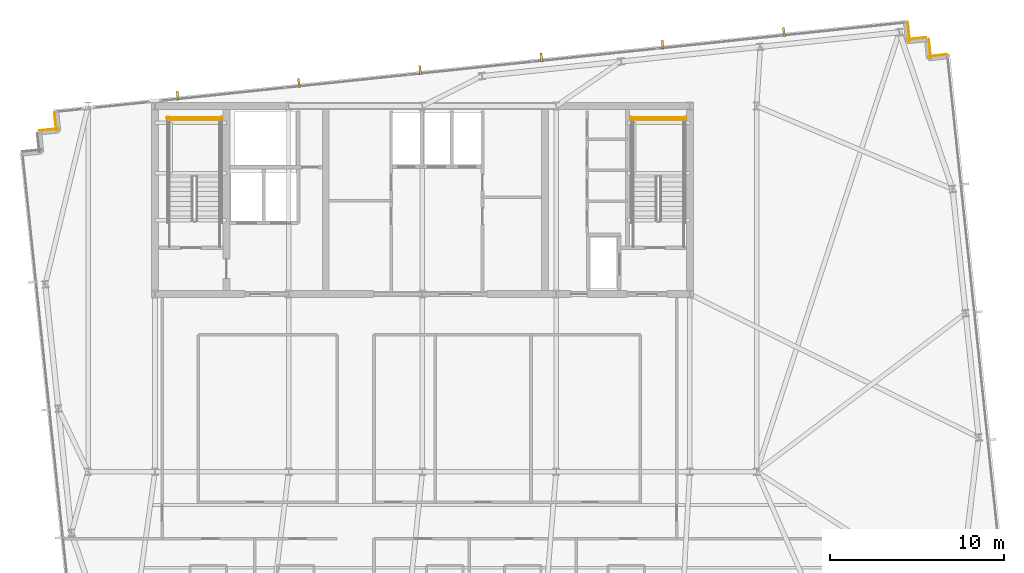
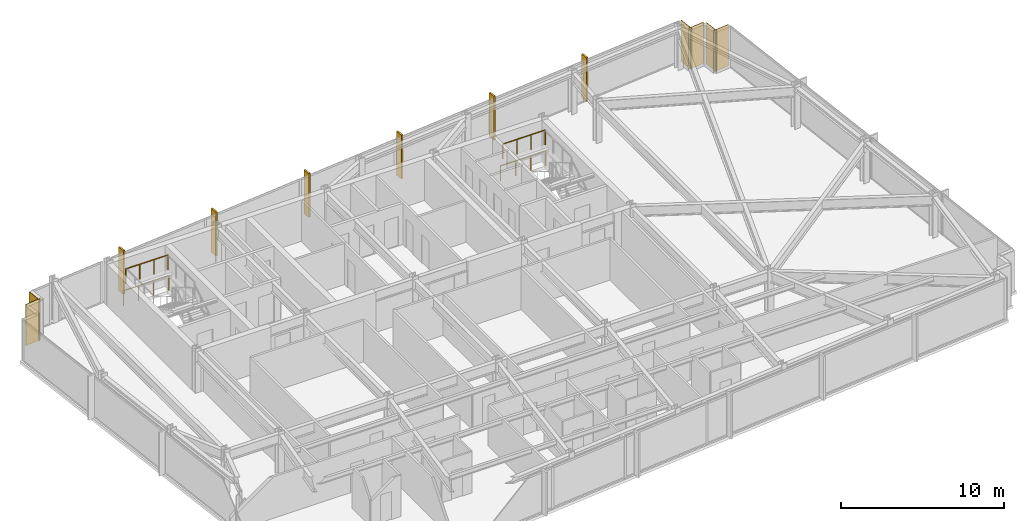
# One storey, part 33 of 33: 6 coverings, 6 shading devices, 4 railings.
"""IFC4 building model written with IfcOpenShell, lengths in metres."""

from ifc_helpers import new_model, si_unit, direction, frame, frame_2d, origin, origin_2d, place, context, subcontext, project, spatial, rectangle, circle, extrude, material, layer, layer_set, type_object, element, save


model = new_model("IFC4")

# Units and contexts
model_context = context("Model", 3, precision=1e-05, world=origin(), true_north=direction((0.0, 1.0)))
body_context = subcontext(model_context, "Body", "Model", "MODEL_VIEW")
ifc_project = project(units=[si_unit("LENGTHUNIT", "METRE"), si_unit("AREAUNIT", "SQUARE_METRE"), si_unit("VOLUMEUNIT", "CUBIC_METRE"), si_unit("PLANEANGLEUNIT", "RADIAN"), si_unit("MASSUNIT", "GRAM", prefix="KILO")], contexts=[model_context])

# Site, building, storey
site_placement = place(None, origin())
site = spatial("IfcSite", under=ifc_project, at=site_placement, CompositionType="ELEMENT")
building_placement = place(site_placement, origin())
building = spatial("IfcBuilding", under=site, at=building_placement, Name="Yelkora Congress Tower", CompositionType="ELEMENT")
storey_placement = place(building_placement, frame((0.0, 0.0, 234.199951171875)))
storey = spatial("IfcBuildingStorey", under=building, at=storey_placement, Name="L65", CompositionType="ELEMENT", Elevation=234.199951171875)

# Coverings
ifc_material_1 = material(Name="Anatolian bush-hammered limestone", Category="masonry")
ifc_layer_1 = layer(ifc_material_1, 0.0400390625)
ifc_layer_set_1 = layer_set([ifc_layer_1], Name="Anatolian bush-hammered limestone")
covering_type = type_object("IfcCoveringType", Name="COV-CLAD-SPANDREL-40", PredefinedType="CLADDING", material=ifc_layer_set_1)
for number, where, z_axis, x_axis, name in (
    (1, (16.406005859375, 44.7880859375, 0.0), (0.0, 0.0, 1.0), (0.994544300928, 0.104315068386, 0.0), "L65 Anatolian Limestone Cladding EW-L65-SR08"),
    (2, (17.379638671875, 44.75439453125, 0.0), (0.0, 0.0, 1.0), (-0.104534592565, 0.994521251134, 0.0), "L65 Anatolian Limestone Cladding EW-L65-SR09"),
    (3, (66.284912109375, 51.000732421875, 0.0), (0.0, 0.0, 1.0), (0.104534592565, -0.994521251134, 0.0), "L65 Anatolian Limestone Cladding EW-L65-SR11"),
):
    element("IfcCovering", number, at=place(storey_placement, frame(where, z_axis=z_axis, x_axis=x_axis)), inside=storey, type_object=covering_type, Name=name, PredefinedType="CLADDING", context=body_context, shape_type="SweptSolid", body=[
        extrude(rectangle(XDim=1.10009765625, YDim=0.0400390625, at=frame_2d((0.550048828125, 0.0))), origin(), (0.0, 0.0, 1.0), 3.080078125),
    ])
covering_placement = place(storey_placement, frame((66.25146484375, 50.02685546875, 0.0), z_axis=(0.0, 0.0, 1.0), x_axis=(0.994518825066, 0.104557671117, 0.0)))
element("IfcCovering", 4, at=covering_placement, inside=storey, type_object=covering_type, Name="L65 Anatolian Limestone Cladding EW-L65-SR12", PredefinedType="CLADDING", context=body_context, shape_type="SweptSolid", body=[
    extrude(rectangle(XDim=1.099853515625, YDim=0.0400390625, at=frame_2d((0.5498046875, 0.0))), origin(), (0.0, 0.0, 1.0), 3.080078125),
])
for number, where, z_axis, x_axis, name in (
    (5, (67.49365234375, 50.021728515625, 0.0), (0.0, 0.0, 1.0), (0.104534592565, -0.994521251134, 0.0), "L65 Anatolian Limestone Cladding EW-L65-SR13"),
    (6, (67.460205078125, 49.0478515625, 0.0), (0.0, 0.0, 1.0), (0.994521251134, 0.104534592565, 0.0), "L65 Anatolian Limestone Cladding EW-L65-SR14"),
):
    element("IfcCovering", number, at=place(storey_placement, frame(where, z_axis=z_axis, x_axis=x_axis)), inside=storey, type_object=covering_type, Name=name, PredefinedType="CLADDING", context=body_context, shape_type="SweptSolid", body=[
        extrude(rectangle(XDim=1.10009765625, YDim=0.0400390625, at=frame_2d((0.550048828125, 0.0))), origin(), (0.0, 0.0, 1.0), 3.080078125),
    ])

# Railings
ifc_material_2 = material(Name="Painted galvanised steel stair well guard with vertical infill", Category="steel")
ifc_layer_2 = layer(ifc_material_2, 0.06005859375)
ifc_layer_set_2 = layer_set([ifc_layer_2], Name="Painted galvanised steel stair well guard with vertical infill")
railing_type = type_object("IfcRailingType", Name="RAIL-STAIR-GUARD-1120", PredefinedType="GUARDRAIL", material=ifc_layer_set_2)
railing_1_placement = place(storey_placement, frame((26.820068359375, 45.419921875, 1.650146484375)))
element("IfcRailing", 7, at=railing_1_placement, inside=storey, type_object=railing_type, Name="ST-01 L65 Stair Well Guardrail 5", PredefinedType="GUARDRAIL", context=body_context, shape_type="SweptSolid", body=[
    extrude(circle(Radius=0.02392578125, at=origin_2d()), frame((0.0, 0.0, 1.09619140625), z_axis=(-1.0, 0.0, 0.0), x_axis=(0.0, -1.0, 0.0)), (0.0, 0.0, 1.0), 3.0),
    extrude(circle(Radius=0.02099609375, at=origin_2d()), origin(), (0.0, 0.0, 1.0), 1.072021484375),
    extrude(circle(Radius=0.02099609375, at=origin_2d()), frame((-1.0, 0.0, 0.0)), (0.0, 0.0, 1.0), 1.072021484375),
    extrude(circle(Radius=0.02099609375, at=origin_2d()), frame((-2.0, 0.0, 0.0)), (0.0, 0.0, 1.0), 1.072021484375),
    extrude(circle(Radius=0.02099609375, at=origin_2d()), frame((-3.0, 0.0, 0.0)), (0.0, 0.0, 1.0), 1.072021484375),
])
railing_2_placement = place(storey_placement, frame((26.919921875, 45.52001953125, 0.0)))
element("IfcRailing", 8, at=railing_2_placement, inside=storey, type_object=railing_type, Name="ST-01 L65 Stair Well Guardrail 12", PredefinedType="GUARDRAIL", context=body_context, shape_type="SweptSolid", body=[
    extrude(circle(Radius=0.02392578125, at=origin_2d()), frame((0.0, 0.0, 1.09619140625), z_axis=(-1.0, 0.0, 0.0), x_axis=(0.0, -1.0, 0.0)), (0.0, 0.0, 1.0), 3.199951171875),
    extrude(circle(Radius=0.02099609375, at=origin_2d()), origin(), (0.0, 0.0, 1.0), 1.072021484375),
    extrude(circle(Radius=0.02099609375, at=origin_2d()), frame((-1.066650390625, 0.0, 0.0)), (0.0, 0.0, 1.0), 1.072021484375),
    extrude(circle(Radius=0.02099609375, at=origin_2d()), frame((-2.13330078125, 0.0, 0.0)), (0.0, 0.0, 1.0), 1.072021484375),
    extrude(circle(Radius=0.02099609375, at=origin_2d()), frame((-3.199951171875, 0.0, 0.0)), (0.0, 0.0, 1.0), 1.072021484375),
])
railing_3_placement = place(storey_placement, frame((53.4599609375, 45.419921875, 1.650146484375)))
element("IfcRailing", 9, at=railing_3_placement, inside=storey, type_object=railing_type, Name="ST-02 L65 Stair Well Guardrail 5", PredefinedType="GUARDRAIL", context=body_context, shape_type="SweptSolid", body=[
    extrude(circle(Radius=0.02392578125, at=origin_2d()), frame((0.0, 0.0, 1.09619140625), z_axis=(-1.0, 0.0, 0.0), x_axis=(0.0, -1.0, 0.0)), (0.0, 0.0, 1.0), 3.0),
    extrude(circle(Radius=0.02099609375, at=origin_2d()), origin(), (0.0, 0.0, 1.0), 1.072021484375),
    extrude(circle(Radius=0.02099609375, at=origin_2d()), frame((-1.0, 0.0, 0.0)), (0.0, 0.0, 1.0), 1.072021484375),
    extrude(circle(Radius=0.02099609375, at=origin_2d()), frame((-2.0, 0.0, 0.0)), (0.0, 0.0, 1.0), 1.072021484375),
    extrude(circle(Radius=0.02099609375, at=origin_2d()), frame((-3.0, 0.0, 0.0)), (0.0, 0.0, 1.0), 1.072021484375),
])
railing_4_placement = place(storey_placement, frame((53.56005859375, 45.52001953125, 0.0)))
element("IfcRailing", 10, at=railing_4_placement, inside=storey, type_object=railing_type, Name="ST-02 L65 Stair Well Guardrail 12", PredefinedType="GUARDRAIL", context=body_context, shape_type="SweptSolid", body=[
    extrude(circle(Radius=0.02392578125, at=origin_2d()), frame((0.0, 0.0, 1.09619140625), z_axis=(-1.0, 0.0, 0.0), x_axis=(0.0, -1.0, 0.0)), (0.0, 0.0, 1.0), 3.199951171875),
    extrude(circle(Radius=0.02099609375, at=origin_2d()), origin(), (0.0, 0.0, 1.0), 1.072021484375),
    extrude(circle(Radius=0.02099609375, at=origin_2d()), frame((-1.066650390625, 0.0, 0.0)), (0.0, 0.0, 1.0), 1.072021484375),
    extrude(circle(Radius=0.02099609375, at=origin_2d()), frame((-2.13330078125, 0.0, 0.0)), (0.0, 0.0, 1.0), 1.072021484375),
    extrude(circle(Radius=0.02099609375, at=origin_2d()), frame((-3.199951171875, 0.0, 0.0)), (0.0, 0.0, 1.0), 1.072021484375),
])

# Shading devices
ifc_material_3 = material(Name="Champagne anodised aluminium", Category="aluminium")
ifc_layer_3 = layer(ifc_material_3, 3.300048828125)
ifc_layer_set_3 = layer_set([ifc_layer_3], Name="Champagne anodised aluminium")
shading_device_type = type_object("IfcShadingDeviceType", Name="SHD-FIN-ALU-520", PredefinedType="USERDEFINED", material=ifc_layer_set_3)
for number, where, z_axis, x_axis, name in (
    (11, (24.342529296875, 46.79345703125, -0.02978515625), (0.0, 0.0, 1.0), (0.994521895368, 0.104528463268, 0.0), "L65 Vertical Anodised Solar Fin 10-1"),
    (12, (31.30712890625, 47.525390625, -0.02978515625), (0.0, 0.0, 1.0), (0.994521895368, 0.104528463268, 0.0), "L65 Vertical Anodised Solar Fin 10-2"),
    (13, (38.271484375, 48.257568359375, -0.02978515625), (0.0, 0.0, 1.0), (0.994521895368, 0.104528463268, 0.0), "L65 Vertical Anodised Solar Fin 10-3"),
    (14, (45.236083984375, 48.989501953125, -0.02978515625), (0.0, 0.0, 1.0), (0.994521895368, 0.104528463268, 0.0), "L65 Vertical Anodised Solar Fin 10-4"),
    (15, (52.20068359375, 49.721435546875, -0.02978515625), (0.0, 0.0, 1.0), (0.994521895368, 0.104528463268, 0.0), "L65 Vertical Anodised Solar Fin 10-5"),
    (16, (59.1650390625, 50.45361328125, -0.02978515625), (0.0, 0.0, 1.0), (0.994521895368, 0.104528463268, 0.0), "L65 Vertical Anodised Solar Fin 10-6"),
):
    element("IfcShadingDevice", number, at=place(storey_placement, frame(where, z_axis=z_axis, x_axis=x_axis)), inside=storey, type_object=shading_device_type, Name=name, ObjectType="FIN", PredefinedType="USERDEFINED", context=body_context, shape_type="SweptSolid", body=[
        extrude(rectangle(XDim=0.1201171875, YDim=0.52001953125, at=origin_2d()), origin(), (0.0, 0.0, 1.0), 3.280029296875),
    ])

save(model, "model.ifc")
